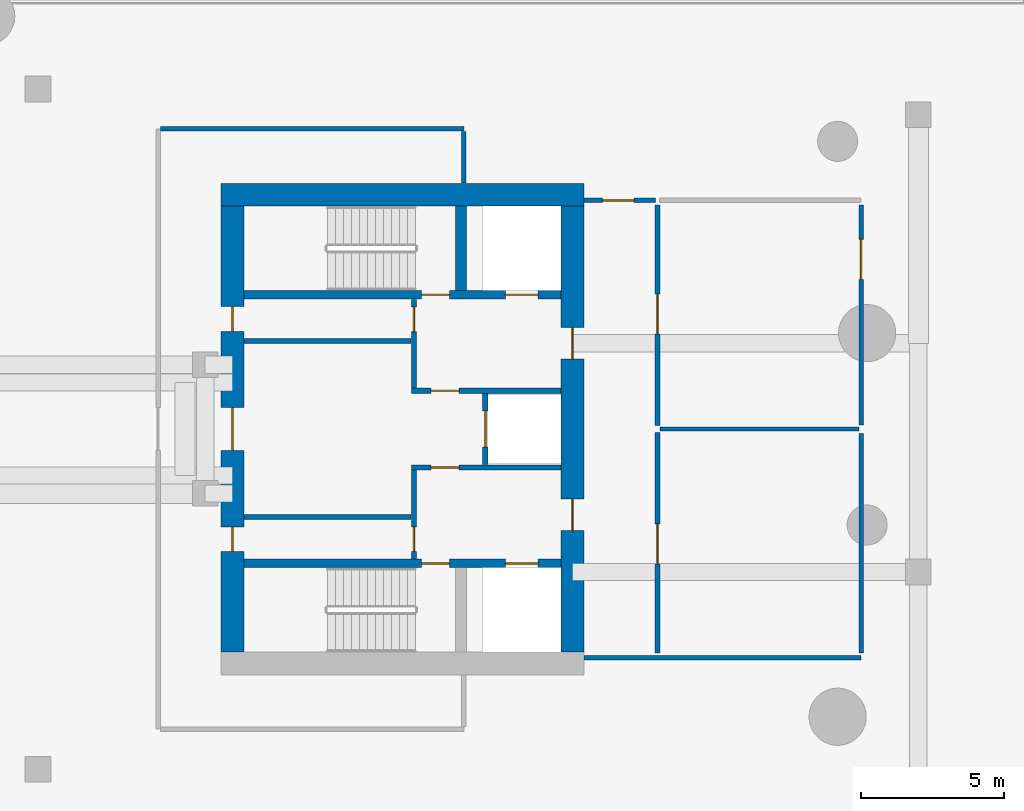
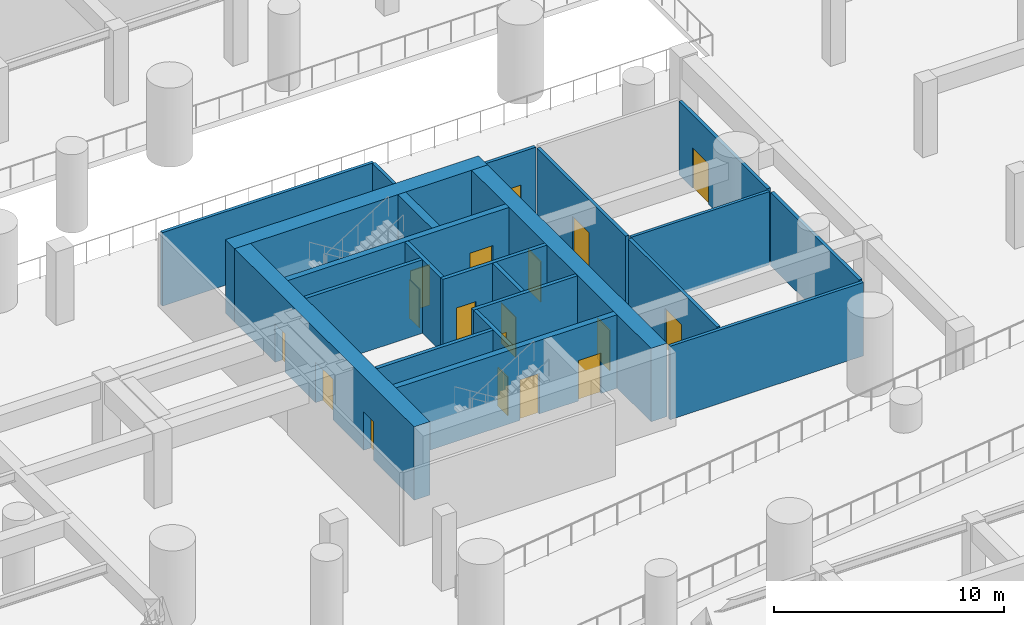
# One storey, part 6 of 10: 22 walls, 18 doors, 18 openings.
"""IFC4 building model written with IfcOpenShell, lengths in metres."""

from ifc_helpers import new_model, si_unit, direction, frame, frame_2d, origin, place, context, subcontext, project, spatial, rectangle, extrude, source, transform, mapped, material, layer, layer_set, type_object, element, fill, save


model = new_model("IFC4")

# Units and contexts
model_context = context("Model", 3, precision=1e-05, world=origin(), true_north=direction((0.0, 1.0)))
body_context = subcontext(model_context, "Body", "Model", "MODEL_VIEW")
ifc_project = project(units=[si_unit("LENGTHUNIT", "METRE"), si_unit("AREAUNIT", "SQUARE_METRE"), si_unit("VOLUMEUNIT", "CUBIC_METRE"), si_unit("PLANEANGLEUNIT", "RADIAN"), si_unit("MASSUNIT", "GRAM", prefix="KILO")], contexts=[model_context])

# Site, building, storey
site_placement = place(None, origin())
site = spatial("IfcSite", under=ifc_project, at=site_placement, CompositionType="ELEMENT")
building_placement = place(site_placement, origin())
building = spatial("IfcBuilding", under=site, at=building_placement, Name="Qafzar Sky-Pleat Residences", CompositionType="ELEMENT")
storey_placement = place(building_placement, frame((0.0, 0.0, -4.199951171875)))
storey = spatial("IfcBuildingStorey", under=building, at=storey_placement, Name="B01", CompositionType="ELEMENT", Elevation=-4.199951171875)

# Walls
ifc_material_1 = material(Name="Acoustic gypsum plasterboard partition", Category="gypsum")
ifc_layer_1 = layer(ifc_material_1, 0.159912109375)
ifc_layer_set_1 = layer_set([ifc_layer_1], Name="Acoustic gypsum plasterboard partition")
wall_type_1 = type_object("IfcWallType", Name="PART-COR-160", PredefinedType="PARTITIONING", material=ifc_layer_set_1)
wall_1_placement = place(storey_placement, frame((21.887939453125, 36.5, 0.0), z_axis=(0.0, 0.0, 1.0), x_axis=(1.0, 0.0, 0.0)))
element("IfcWall", 1, at=wall_1_placement, inside=storey, type_object=wall_type_1, Name="B01 Partition Wall PART-B01-PW-004", PredefinedType="PARTITIONING", context=body_context, shape_type="SweptSolid", body=[
    extrude(rectangle(XDim=10.612060546875, YDim=0.159912109375, at=frame_2d((5.30615234375, 0.0))), origin(), (0.0, 0.0, 1.0), 3.89990234375),
])
wall_2_placement = place(storey_placement, frame((32.5, 34.60791015625, 0.0), z_axis=(0.0, 0.0, 1.0), x_axis=(0.0, 1.0, 0.0)))
element("IfcWall", 2, at=wall_2_placement, inside=storey, type_object=wall_type_1, Name="B01 Partition Wall PART-B01-PW-005", PredefinedType="PARTITIONING", context=body_context, shape_type="SweptSolid", body=[
    extrude(rectangle(XDim=1.80419921875, YDim=0.159912109375, at=frame_2d((0.902099609375, 0.0))), origin(), (0.0, 0.0, 1.0), 3.89990234375),
])
wall_3_placement = place(storey_placement, frame((36.699951171875, 18.0, 0.0), z_axis=(0.0, 0.0, 1.0), x_axis=(1.0, 0.0, 0.0)))
element("IfcWall", 3, at=wall_3_placement, inside=storey, type_object=wall_type_1, Name="B01 Partition Wall PART-B01-PW-006", PredefinedType="PARTITIONING", context=body_context, shape_type="SweptSolid", body=[
    extrude(rectangle(XDim=9.699951171875, YDim=0.159912109375, at=frame_2d((4.85009765625, 0.0))), origin(), (0.0, 0.0, 1.0), 3.89990234375),
])

# Wall, opening, door
wall_4_placement = place(storey_placement, frame((36.699951171875, 34.0, 0.0), z_axis=(0.0, 0.0, 1.0), x_axis=(1.0, 0.0, 0.0)))
wall_4 = element("IfcWall", 4, at=wall_4_placement, inside=storey, type_object=wall_type_1, Name="B01 Partition Wall PART-B01-PW-007", PredefinedType="PARTITIONING", context=body_context, shape_type="SweptSolid", body=[
    extrude(rectangle(XDim=2.5, YDim=0.159912109375, at=frame_2d((1.25, 0.0))), origin(), (0.0, 0.0, 1.0), 3.89990234375),
])
opening_1_placement = place(wall_4_placement, frame((0.64990234375, 0.0, 0.0)))
opening_1 = element("IfcOpeningElement", 5, at=opening_1_placement, cuts=wall_4, Name="Opening ID-02", PredefinedType="OPENING", context=body_context, shape_type="SweptSolid", body=[
    extrude(rectangle(XDim=1.10009765625, YDim=2.14990234375, at=frame_2d((0.550048828125, 1.074951171875))), frame((0.0, 0.08984375, 0.0), z_axis=(0.0, -1.0, 0.0), x_axis=(1.0, 0.0, 0.0)), (0.0, 0.0, 1.0), 0.179931640625),
])
ifc_material_2 = material(Name="Timber-faced fire door", Category="wood")
door_type_1 = type_object("IfcDoorType", Name="DR-FFL-1100", OperationType="NOTDEFINED", PredefinedType="DOOR", material=ifc_material_2)
shared_shape_1 = source(origin(), body_context, "Body", "SweptSolid", [
    extrude(rectangle(XDim=1.10009765625, YDim=2.14990234375, at=frame_2d((0.550048828125, 1.074951171875))), frame((0.0, 0.02490234375, 0.0), z_axis=(0.0, -1.0, 0.0), x_axis=(1.0, 0.0, 0.0)), (0.0, 0.0, 1.0), 0.050048828125),
])
door_1_placement = place(opening_1_placement, origin())
door_1 = element("IfcDoor", 6, at=door_1_placement, inside=storey, type_object=door_type_1, Name="B01 East Service Lobby North Door", OperationType="SINGLE_SWING_LEFT", OverallHeight=2.14990234375, OverallWidth=1.10009765625, PredefinedType="DOOR", context=body_context, shape_type="MappedRepresentation", body=[
    mapped(shared_shape_1, transform((0.0, 0.0, 0.0), x_axis=(1.0, 0.0, 0.0), y_axis=(0.0, 1.0, 0.0), z_axis=(0.0, 0.0, 1.0), scale=1.0)),
])
fill(opening_1, door_1)

wall_5_placement = place(storey_placement, frame((39.27490234375, 18.16796875, 0.0), z_axis=(0.0, 0.0, 1.0), x_axis=(0.0, 1.0, 0.0)))
wall_5 = element("IfcWall", 7, at=wall_5_placement, inside=storey, type_object=wall_type_1, Name="B01 Partition Wall PART-B01-PW-009", PredefinedType="PARTITIONING", context=body_context, shape_type="SweptSolid", body=[
    extrude(rectangle(XDim=7.7119140625, YDim=0.159912109375, at=frame_2d((3.85595703125, 0.0))), origin(), (0.0, 0.0, 1.0), 3.89990234375),
])
opening_2_placement = place(wall_5_placement, frame((3.112060546875, 0.0, 0.0)))
opening_2 = element("IfcOpeningElement", 8, at=opening_2_placement, cuts=wall_5, Name="Opening ID-10", PredefinedType="OPENING", context=body_context, shape_type="SweptSolid", body=[
    extrude(rectangle(XDim=1.39990234375, YDim=2.14990234375, at=frame_2d((0.699951171875, 1.074951171875))), frame((0.0, 0.08984375, 0.0), z_axis=(0.0, -1.0, 0.0), x_axis=(1.0, 0.0, 0.0)), (0.0, 0.0, 1.0), 0.179931640625),
])
door_type_2 = type_object("IfcDoorType", Name="DR-PLANT-1400", OperationType="DOUBLE_DOOR_SINGLE_SWING", PredefinedType="DOOR", material=ifc_material_2)
shared_shape_2 = source(origin(), body_context, "Body", "SweptSolid", [
    extrude(rectangle(XDim=1.39990234375, YDim=2.14990234375, at=frame_2d((0.699951171875, 1.074951171875))), frame((0.0, 0.02490234375, 0.0), z_axis=(0.0, -1.0, 0.0), x_axis=(1.0, 0.0, 0.0)), (0.0, 0.0, 1.0), 0.050048828125),
])
door_2_placement = place(opening_2_placement, origin())
door_2 = element("IfcDoor", 9, at=door_2_placement, inside=storey, type_object=door_type_2, Name="B01 Resident Bicycle Store Room Door", OperationType="DOUBLE_DOOR_SINGLE_SWING", OverallHeight=2.14990234375, OverallWidth=1.39990234375, PredefinedType="DOOR", context=body_context, shape_type="MappedRepresentation", body=[
    mapped(shared_shape_2, transform((0.0, 0.0, 0.0), x_axis=(1.0, 0.0, 0.0), y_axis=(0.0, 1.0, 0.0), z_axis=(0.0, 0.0, 1.0), scale=1.0)),
])
fill(opening_2, door_2)

wall_6_placement = place(storey_placement, frame((39.27490234375, 26.1201171875, 0.0), z_axis=(0.0, 0.0, 1.0), x_axis=(0.0, 1.0, 0.0)))
wall_6 = element("IfcWall", 10, at=wall_6_placement, inside=storey, type_object=wall_type_1, Name="B01 Partition Wall PART-B01-PW-010", PredefinedType="PARTITIONING", context=body_context, shape_type="SweptSolid", body=[
    extrude(rectangle(XDim=7.7119140625, YDim=0.159912109375, at=frame_2d((3.85595703125, 0.0))), origin(), (0.0, 0.0, 1.0), 3.89990234375),
])
opening_3_placement = place(wall_6_placement, frame((3.199951171875, 0.0, 0.0)))
opening_3 = element("IfcOpeningElement", 11, at=opening_3_placement, cuts=wall_6, Name="Opening ID-10", PredefinedType="OPENING", context=body_context, shape_type="SweptSolid", body=[
    extrude(rectangle(XDim=1.39990234375, YDim=2.14990234375, at=frame_2d((0.699951171875, 1.074951171875))), frame((0.0, 0.08984375, 0.0), z_axis=(0.0, -1.0, 0.0), x_axis=(1.0, 0.0, 0.0)), (0.0, 0.0, 1.0), 0.179931640625),
])
door_3_placement = place(opening_3_placement, origin())
door_3 = element("IfcDoor", 12, at=door_3_placement, inside=storey, type_object=door_type_2, Name="B01 Service and Goods Loading Bay Door", OperationType="DOUBLE_DOOR_SINGLE_SWING", OverallHeight=2.14990234375, OverallWidth=1.39990234375, PredefinedType="DOOR", context=body_context, shape_type="MappedRepresentation", body=[
    mapped(shared_shape_2, transform((0.0, 0.0, 0.0), x_axis=(1.0, 0.0, 0.0), y_axis=(0.0, 1.0, 0.0), z_axis=(0.0, 0.0, 1.0), scale=1.0)),
])
fill(opening_3, door_3)

# Wall
wall_7_placement = place(storey_placement, frame((46.39990234375, 18.16796875, 0.0), z_axis=(0.0, 0.0, 1.0), x_axis=(0.0, 1.0, 0.0)))
element("IfcWall", 13, at=wall_7_placement, inside=storey, type_object=wall_type_1, Name="B01 Partition Wall PART-B01-PW-012", PredefinedType="PARTITIONING", context=body_context, shape_type="SweptSolid", body=[
    extrude(rectangle(XDim=7.68212890625, YDim=0.159912109375, at=frame_2d((3.841064453125, 0.0))), origin(), (0.0, 0.0, 1.0), 3.89990234375),
])

# Wall, opening, door
wall_8_placement = place(storey_placement, frame((46.39990234375, 26.14990234375, 0.0), z_axis=(0.0, 0.0, 1.0), x_axis=(0.0, 1.0, 0.0)))
wall_8 = element("IfcWall", 14, at=wall_8_placement, inside=storey, type_object=wall_type_1, Name="B01 Partition Wall PART-B01-PW-013", PredefinedType="PARTITIONING", context=body_context, shape_type="SweptSolid", body=[
    extrude(rectangle(XDim=7.68212890625, YDim=0.159912109375, at=frame_2d((3.841064453125, 0.0))), origin(), (0.0, 0.0, 1.0), 3.89990234375),
])
opening_4_placement = place(wall_8_placement, frame((5.08837890625, 0.0, 0.0)))
opening_4 = element("IfcOpeningElement", 15, at=opening_4_placement, cuts=wall_8, Name="Opening ID-10", PredefinedType="OPENING", context=body_context, shape_type="SweptSolid", body=[
    extrude(rectangle(XDim=1.39990234375, YDim=2.14990234375, at=frame_2d((0.699951171875, 1.074951171875))), frame((0.0, 0.08984375, 0.0), z_axis=(0.0, -1.0, 0.0), x_axis=(1.0, 0.0, 0.0)), (0.0, 0.0, 1.0), 0.179931640625),
])
door_4_placement = place(opening_4_placement, origin())
door_4 = element("IfcDoor", 16, at=door_4_placement, inside=storey, type_object=door_type_2, Name="B01 Service Bay Car Park Door", OperationType="DOUBLE_DOOR_SINGLE_SWING", OverallHeight=2.14990234375, OverallWidth=1.39990234375, PredefinedType="DOOR", context=body_context, shape_type="MappedRepresentation", body=[
    mapped(shared_shape_2, transform((0.0, 0.0, 0.0), x_axis=(1.0, 0.0, 0.0), y_axis=(0.0, 1.0, 0.0), z_axis=(0.0, 0.0, 1.0), scale=1.0)),
])
fill(opening_4, door_4)

ifc_material_3 = material(Name="Concrete blockwork partition", Category="masonry")
ifc_layer_2 = layer(ifc_material_3, 0.179931640625)
ifc_layer_set_2 = layer_set([ifc_layer_2], Name="Concrete blockwork partition")
wall_type_2 = type_object("IfcWallType", Name="PART-SHAFT-180", PredefinedType="PARTITIONING", material=ifc_layer_set_2)
wall_9_placement = place(storey_placement, frame((30.75, 21.4599609375, 0.0), z_axis=(0.0, 0.0, 1.0), x_axis=(0.0, 1.0, 0.0)))
wall_9 = element("IfcWall", 17, at=wall_9_placement, inside=storey, type_object=wall_type_2, Name="B01 Partition Wall PART-B01-FFL1-W", PredefinedType="PARTITIONING", context=body_context, shape_type="SweptSolid", body=[
    extrude(rectangle(XDim=3.110107421875, YDim=0.179931640625, at=frame_2d((1.55517578125, 0.0))), origin(), (0.0, 0.0, 1.0), 3.89990234375),
])
opening_5_placement = place(wall_9_placement, frame((0.260009765625, 0.0, 0.0)))
opening_5 = element("IfcOpeningElement", 18, at=opening_5_placement, cuts=wall_9, Name="Opening ID-09", PredefinedType="OPENING", context=body_context, shape_type="SweptSolid", body=[
    extrude(rectangle(XDim=0.860107421875, YDim=2.050048828125, at=frame_2d((0.43017578125, 1.02490234375))), frame((0.0, 0.10009765625, 0.0), z_axis=(0.0, -1.0, 0.0), x_axis=(1.0, 0.0, 0.0)), (0.0, 0.0, 1.0), 0.199951171875),
])
door_type_3 = type_object("IfcDoorType", Name="DR-SVC-860", OperationType="NOTDEFINED", PredefinedType="DOOR", material=ifc_material_2)
shared_shape_3 = source(origin(), body_context, "Body", "SweptSolid", [
    extrude(rectangle(XDim=0.860107421875, YDim=2.050048828125, at=frame_2d((0.43017578125, 1.02490234375))), frame((0.0, 0.02490234375, 0.0), z_axis=(0.0, -1.0, 0.0), x_axis=(1.0, 0.0, 0.0)), (0.0, 0.0, 1.0), 0.050048828125),
])
door_5_placement = place(opening_5_placement, origin())
door_5 = element("IfcDoor", 19, at=door_5_placement, inside=storey, type_object=door_type_3, Name="B01 South Core Cupboard Door", OperationType="SINGLE_SWING_LEFT", OverallHeight=2.050048828125, OverallWidth=0.860107421875, PredefinedType="DOOR", context=body_context, shape_type="MappedRepresentation", body=[
    mapped(shared_shape_3, transform((0.0, 0.0, 0.0), x_axis=(1.0, 0.0, 0.0), y_axis=(0.0, 1.0, 0.0), z_axis=(0.0, 0.0, 1.0), scale=1.0)),
])
fill(opening_5, door_5)

wall_10_placement = place(storey_placement, frame((30.669921875, 24.659912109375, 0.0), z_axis=(0.0, 0.0, 1.0), x_axis=(1.0, 0.0, 0.0)))
wall_10 = element("IfcWall", 20, at=wall_10_placement, inside=storey, type_object=wall_type_2, Name="B01 Partition Wall PART-B01-FFL1-N", PredefinedType="PARTITIONING", context=body_context, shape_type="SweptSolid", body=[
    extrude(rectangle(XDim=5.219970703125, YDim=0.179931640625, at=frame_2d((2.60986328125, 0.0))), origin(), (0.0, 0.0, 1.0), 3.89990234375),
])
opening_6_placement = place(wall_10_placement, frame((0.679931640625, 0.0, 0.0)))
opening_6 = element("IfcOpeningElement", 21, at=opening_6_placement, cuts=wall_10, Name="Opening ID-01", PredefinedType="OPENING", context=body_context, shape_type="SweptSolid", body=[
    extrude(rectangle(XDim=0.97998046875, YDim=2.14990234375, at=frame_2d((0.489990234375, 1.074951171875))), frame((0.0, 0.10009765625, 0.0), z_axis=(0.0, -1.0, 0.0), x_axis=(1.0, 0.0, 0.0)), (0.0, 0.0, 1.0), 0.199951171875),
])
door_type_4 = type_object("IfcDoorType", Name="DR-STAIR-980", OperationType="NOTDEFINED", PredefinedType="DOOR", material=ifc_material_2)
shared_shape_4 = source(origin(), body_context, "Body", "SweptSolid", [
    extrude(rectangle(XDim=0.97998046875, YDim=2.14990234375, at=frame_2d((0.489990234375, 1.074951171875))), frame((0.0, 0.02490234375, 0.0), z_axis=(0.0, -1.0, 0.0), x_axis=(1.0, 0.0, 0.0)), (0.0, 0.0, 1.0), 0.050048828125),
])
door_6_placement = place(opening_6_placement, origin())
door_6 = element("IfcDoor", 22, at=door_6_placement, inside=storey, type_object=door_type_4, Name="B01 Lift Lobby to South Firefighting Lobby Door", OperationType="SINGLE_SWING_RIGHT", OverallHeight=2.14990234375, OverallWidth=0.97998046875, PredefinedType="DOOR", context=body_context, shape_type="MappedRepresentation", body=[
    mapped(shared_shape_4, transform((0.0, 0.0, 0.0), x_axis=(1.0, 0.0, 0.0), y_axis=(0.0, 1.0, 0.0), z_axis=(0.0, 0.0, 1.0), scale=1.0)),
])
fill(opening_6, door_6)

wall_11_placement = place(storey_placement, frame((30.75, 27.429931640625, 0.0), z_axis=(0.0, 0.0, 1.0), x_axis=(0.0, 1.0, 0.0)))
wall_11 = element("IfcWall", 23, at=wall_11_placement, inside=storey, type_object=wall_type_2, Name="B01 Partition Wall PART-B01-FFL2-W", PredefinedType="PARTITIONING", context=body_context, shape_type="SweptSolid", body=[
    extrude(rectangle(XDim=3.110107421875, YDim=0.179931640625, at=frame_2d((1.55517578125, 0.0))), origin(), (0.0, 0.0, 1.0), 3.89990234375),
])
opening_7_placement = place(wall_11_placement, frame((1.97998046875, 0.0, 0.0)))
opening_7 = element("IfcOpeningElement", 24, at=opening_7_placement, cuts=wall_11, Name="Opening ID-09", PredefinedType="OPENING", context=body_context, shape_type="SweptSolid", body=[
    extrude(rectangle(XDim=0.860107421875, YDim=2.050048828125, at=frame_2d((0.43017578125, 1.02490234375))), frame((0.0, 0.10009765625, 0.0), z_axis=(0.0, -1.0, 0.0), x_axis=(1.0, 0.0, 0.0)), (0.0, 0.0, 1.0), 0.199951171875),
])
door_7_placement = place(opening_7_placement, origin())
door_7 = element("IfcDoor", 25, at=door_7_placement, inside=storey, type_object=door_type_3, Name="B01 North Core Cupboard Door", OperationType="SINGLE_SWING_LEFT", OverallHeight=2.050048828125, OverallWidth=0.860107421875, PredefinedType="DOOR", context=body_context, shape_type="MappedRepresentation", body=[
    mapped(shared_shape_3, transform((0.0, 0.0, 0.0), x_axis=(1.0, 0.0, 0.0), y_axis=(0.0, 1.0, 0.0), z_axis=(0.0, 0.0, 1.0), scale=1.0)),
])
fill(opening_7, door_7)

wall_12_placement = place(storey_placement, frame((30.669921875, 27.340087890625, 0.0), z_axis=(0.0, 0.0, 1.0), x_axis=(1.0, 0.0, 0.0)))
wall_12 = element("IfcWall", 26, at=wall_12_placement, inside=storey, type_object=wall_type_2, Name="B01 Partition Wall PART-B01-FFL2-S", PredefinedType="PARTITIONING", context=body_context, shape_type="SweptSolid", body=[
    extrude(rectangle(XDim=5.219970703125, YDim=0.179931640625, at=frame_2d((2.60986328125, 0.0))), origin(), (0.0, 0.0, 1.0), 3.89990234375),
])
opening_8_placement = place(wall_12_placement, frame((0.679931640625, 0.0, 0.0)))
opening_8 = element("IfcOpeningElement", 27, at=opening_8_placement, cuts=wall_12, Name="Opening ID-01", PredefinedType="OPENING", context=body_context, shape_type="SweptSolid", body=[
    extrude(rectangle(XDim=0.97998046875, YDim=2.14990234375, at=frame_2d((0.489990234375, 1.074951171875))), frame((0.0, 0.10009765625, 0.0), z_axis=(0.0, -1.0, 0.0), x_axis=(1.0, 0.0, 0.0)), (0.0, 0.0, 1.0), 0.199951171875),
])
door_8_placement = place(opening_8_placement, origin())
door_8 = element("IfcDoor", 28, at=door_8_placement, inside=storey, type_object=door_type_4, Name="B01 Lift Lobby to North Firefighting Lobby Door", OperationType="SINGLE_SWING_RIGHT", OverallHeight=2.14990234375, OverallWidth=0.97998046875, PredefinedType="DOOR", context=body_context, shape_type="MappedRepresentation", body=[
    mapped(shared_shape_4, transform((0.0, 0.0, 0.0), x_axis=(1.0, 0.0, 0.0), y_axis=(0.0, 1.0, 0.0), z_axis=(0.0, 0.0, 1.0), scale=1.0)),
])
fill(opening_8, door_8)

wall_13_placement = place(storey_placement, frame((33.25, 24.760009765625, 0.0), z_axis=(0.0, 0.0, 1.0), x_axis=(0.0, 1.0, 0.0)))
wall_13 = element("IfcWall", 29, at=wall_13_placement, inside=storey, type_object=wall_type_2, Name="B01 Partition Wall PART-B01-SV1-W", PredefinedType="PARTITIONING", context=body_context, shape_type="SweptSolid", body=[
    extrude(rectangle(XDim=2.47998046875, YDim=0.179931640625, at=frame_2d((1.239990234375, 0.0))), origin(), (0.0, 0.0, 1.0), 3.89990234375),
])
opening_9_placement = place(wall_13_placement, frame((0.614990234375, 0.0, 0.0)))
opening_9 = element("IfcOpeningElement", 30, at=opening_9_placement, cuts=wall_13, Name="Opening LD-03", PredefinedType="OPENING", context=body_context, shape_type="SweptSolid", body=[
    extrude(rectangle(XDim=1.25, YDim=2.14990234375, at=frame_2d((0.625, 1.074951171875))), frame((0.0, 0.10009765625, 0.0), z_axis=(0.0, -1.0, 0.0), x_axis=(1.0, 0.0, 0.0)), (0.0, 0.0, 1.0), 0.199951171875),
])
ifc_material_4 = material(Name="Stainless steel sliding landing door", Category="steel")
door_type_5 = type_object("IfcDoorType", Name="DR-LIFT-SV", OperationType="DOUBLE_DOOR_SLIDING", PredefinedType="DOOR", material=ifc_material_4)
shared_shape_5 = source(origin(), body_context, "Body", "SweptSolid", [
    extrude(rectangle(XDim=1.25, YDim=2.14990234375, at=frame_2d((0.625, 1.074951171875))), frame((0.0, 0.02490234375, 0.0), z_axis=(0.0, -1.0, 0.0), x_axis=(1.0, 0.0, 0.0)), (0.0, 0.0, 1.0), 0.050048828125),
])
door_9_placement = place(opening_9_placement, origin())
door_9 = element("IfcDoor", 31, at=door_9_placement, inside=storey, type_object=door_type_5, Name="B01 Service Lift SV1 Landing Door", OperationType="DOUBLE_DOOR_SLIDING", OverallHeight=2.14990234375, OverallWidth=1.25, PredefinedType="DOOR", context=body_context, shape_type="MappedRepresentation", body=[
    mapped(shared_shape_5, transform((0.0, 0.0, 0.0), x_axis=(1.0, 0.0, 0.0), y_axis=(0.0, 1.0, 0.0), z_axis=(0.0, 0.0, 1.0), scale=1.0)),
])
fill(opening_9, door_9)

# Walls
for number, where, z_axis, x_axis, name in (
    (32, (24.81005859375, 22.919921875, 0.0), (0.0, 0.0, 1.0), (1.0, 0.0, 0.0), "B01 Partition Wall PART-B01-P13-S"),
    (33, (24.81005859375, 29.080078125, 0.0), (0.0, 0.0, 1.0), (1.0, 0.0, 0.0), "B01 Partition Wall PART-B01-P46-N"),
):
    element("IfcWall", number, at=place(storey_placement, frame(where, z_axis=z_axis, x_axis=x_axis)), inside=storey, type_object=wall_type_2, Name=name, PredefinedType="PARTITIONING", context=body_context, shape_type="SweptSolid", body=[
        extrude(rectangle(XDim=5.83984375, YDim=0.179931640625, at=frame_2d((2.919921875, 0.0))), origin(), (0.0, 0.0, 1.0), 3.89990234375),
    ])
ifc_layer_3 = layer(ifc_material_1, 0.14501953125)
ifc_layer_set_3 = layer_set([ifc_layer_3], Name="Acoustic gypsum plasterboard partition")
wall_type_3 = type_object("IfcWallType", Name="PART-UNIT-145", PredefinedType="PARTITIONING", material=ifc_layer_set_3)
wall_14_placement = place(storey_placement, frame((39.360107421875, 26.0, 0.0), z_axis=(0.0, 0.0, 1.0), x_axis=(1.0, 0.0, 0.0)))
element("IfcWall", 34, at=wall_14_placement, inside=storey, type_object=wall_type_3, Name="B01 Partition Wall PART-B01-PW-011", PredefinedType="PARTITIONING", context=body_context, shape_type="SweptSolid", body=[
    extrude(rectangle(XDim=6.9599609375, YDim=0.14501953125, at=frame_2d((3.47998046875, 0.0))), origin(), (0.0, 0.0, 1.0), 3.89990234375),
])

# Wall, openings, doors
ifc_material_5 = material(Name="Concrete C60/75", Category="concrete")
ifc_layer_4 = layer(ifc_material_5, 0.300048828125)
ifc_layer_set_4 = layer_set([ifc_layer_4], Name="Concrete C60/75")
wall_type_4 = type_object("IfcWallType", Name="WALL-SHEAR-300", PredefinedType="SHEAR", material=ifc_layer_set_4)
wall_15_placement = place(storey_placement, frame((24.800048828125, 21.300048828125, 0.0), z_axis=(0.0, 0.0, 1.0), x_axis=(1.0, 0.0, 0.0)))
wall_15 = element("IfcWall", 35, at=wall_15_placement, inside=storey, type_object=wall_type_4, Name="B01 Stair ST1 and FF1 Shaft North Wall", PredefinedType="SHEAR", context=body_context, shape_type="SweptSolid", body=[
    extrude(rectangle(XDim=11.099853515625, YDim=0.300048828125, at=frame_2d((5.5498046875, 0.0))), origin(), (0.0, 0.0, 1.0), 3.89990234375),
])
opening_10_placement = place(wall_15_placement, frame((6.219970703125, 0.0, 0.0)))
opening_10 = element("IfcOpeningElement", 36, at=opening_10_placement, cuts=wall_15, Name="Opening ID-01", PredefinedType="OPENING", context=body_context, shape_type="SweptSolid", body=[
    extrude(rectangle(XDim=0.97998046875, YDim=2.14990234375, at=frame_2d((0.489990234375, 1.074951171875))), frame((0.0, 0.16015625, 0.0), z_axis=(0.0, -1.0, 0.0), x_axis=(1.0, 0.0, 0.0)), (0.0, 0.0, 1.0), 0.320068359375),
])
opening_11_placement = place(wall_15_placement, frame((9.14990234375, 0.0, 0.0)))
opening_11 = element("IfcOpeningElement", 37, at=opening_11_placement, cuts=wall_15, Name="Opening LD-02", PredefinedType="OPENING", context=body_context, shape_type="SweptSolid", body=[
    extrude(rectangle(XDim=1.14990234375, YDim=2.14990234375, at=frame_2d((0.574951171875, 1.074951171875))), frame((0.0, 0.16015625, 0.0), z_axis=(0.0, -1.0, 0.0), x_axis=(1.0, 0.0, 0.0)), (0.0, 0.0, 1.0), 0.320068359375),
])
door_10_placement = place(opening_10_placement, origin())
door_10 = element("IfcDoor", 38, at=door_10_placement, inside=storey, type_object=door_type_4, Name="B01 Stair ST1 Fire Door", OperationType="SINGLE_SWING_LEFT", OverallHeight=2.14990234375, OverallWidth=0.97998046875, PredefinedType="DOOR", context=body_context, shape_type="MappedRepresentation", body=[
    mapped(shared_shape_4, transform((0.0, 0.0, 0.0), x_axis=(1.0, 0.0, 0.0), y_axis=(0.0, 1.0, 0.0), z_axis=(0.0, 0.0, 1.0), scale=1.0)),
])
fill(opening_10, door_10)
door_type_6 = type_object("IfcDoorType", Name="DR-LIFT-FF", OperationType="DOUBLE_DOOR_SLIDING", PredefinedType="DOOR", material=ifc_material_4)
shared_shape_6 = source(origin(), body_context, "Body", "SweptSolid", [
    extrude(rectangle(XDim=1.14990234375, YDim=2.14990234375, at=frame_2d((0.574951171875, 1.074951171875))), frame((0.0, 0.02490234375, 0.0), z_axis=(0.0, -1.0, 0.0), x_axis=(1.0, 0.0, 0.0)), (0.0, 0.0, 1.0), 0.050048828125),
])
door_11_placement = place(opening_11_placement, origin())
door_11 = element("IfcDoor", 39, at=door_11_placement, inside=storey, type_object=door_type_6, Name="B01 Firefighting Lift FF1 Landing Door", OperationType="DOUBLE_DOOR_SLIDING", OverallHeight=2.14990234375, OverallWidth=1.14990234375, PredefinedType="DOOR", context=body_context, shape_type="MappedRepresentation", body=[
    mapped(shared_shape_6, transform((0.0, 0.0, 0.0), x_axis=(1.0, 0.0, 0.0), y_axis=(0.0, 1.0, 0.0), z_axis=(0.0, 0.0, 1.0), scale=1.0)),
])
fill(opening_11, door_11)

wall_16_placement = place(storey_placement, frame((24.800048828125, 30.699951171875, 0.0), z_axis=(0.0, 0.0, 1.0), x_axis=(1.0, 0.0, 0.0)))
wall_16 = element("IfcWall", 40, at=wall_16_placement, inside=storey, type_object=wall_type_4, Name="B01 Stair ST2 and FF2 Shaft South Wall", PredefinedType="SHEAR", context=body_context, shape_type="SweptSolid", body=[
    extrude(rectangle(XDim=11.099853515625, YDim=0.300048828125, at=frame_2d((5.5498046875, 0.0))), origin(), (0.0, 0.0, 1.0), 3.89990234375),
])
opening_12_placement = place(wall_16_placement, frame((6.219970703125, 0.0, 0.0)))
opening_12 = element("IfcOpeningElement", 41, at=opening_12_placement, cuts=wall_16, Name="Opening ID-01", PredefinedType="OPENING", context=body_context, shape_type="SweptSolid", body=[
    extrude(rectangle(XDim=0.97998046875, YDim=2.14990234375, at=frame_2d((0.489990234375, 1.074951171875))), frame((0.0, 0.16015625, 0.0), z_axis=(0.0, -1.0, 0.0), x_axis=(1.0, 0.0, 0.0)), (0.0, 0.0, 1.0), 0.320068359375),
])
opening_13_placement = place(wall_16_placement, frame((9.14990234375, 0.0, 0.0)))
opening_13 = element("IfcOpeningElement", 42, at=opening_13_placement, cuts=wall_16, Name="Opening LD-02", PredefinedType="OPENING", context=body_context, shape_type="SweptSolid", body=[
    extrude(rectangle(XDim=1.14990234375, YDim=2.14990234375, at=frame_2d((0.574951171875, 1.074951171875))), frame((0.0, 0.16015625, 0.0), z_axis=(0.0, -1.0, 0.0), x_axis=(1.0, 0.0, 0.0)), (0.0, 0.0, 1.0), 0.320068359375),
])
door_12_placement = place(opening_12_placement, origin())
door_12 = element("IfcDoor", 43, at=door_12_placement, inside=storey, type_object=door_type_4, Name="B01 Stair ST2 Fire Door", OperationType="SINGLE_SWING_RIGHT", OverallHeight=2.14990234375, OverallWidth=0.97998046875, PredefinedType="DOOR", context=body_context, shape_type="MappedRepresentation", body=[
    mapped(shared_shape_4, transform((0.0, 0.0, 0.0), x_axis=(1.0, 0.0, 0.0), y_axis=(0.0, 1.0, 0.0), z_axis=(0.0, 0.0, 1.0), scale=1.0)),
])
fill(opening_12, door_12)
door_13_placement = place(opening_13_placement, origin())
door_13 = element("IfcDoor", 44, at=door_13_placement, inside=storey, type_object=door_type_6, Name="B01 Firefighting Lift FF2 Landing Door", OperationType="DOUBLE_DOOR_SLIDING", OverallHeight=2.14990234375, OverallWidth=1.14990234375, PredefinedType="DOOR", context=body_context, shape_type="MappedRepresentation", body=[
    mapped(shared_shape_6, transform((0.0, 0.0, 0.0), x_axis=(1.0, 0.0, 0.0), y_axis=(0.0, 1.0, 0.0), z_axis=(0.0, 0.0, 1.0), scale=1.0)),
])
fill(opening_13, door_13)

# Walls
ifc_layer_5 = layer(ifc_material_5, 0.39990234375)
ifc_layer_set_5 = layer_set([ifc_layer_5], Name="Concrete C60/75")
wall_type_5 = type_object("IfcWallType", Name="WALL-SHEAR-400", PredefinedType="SHEAR", material=ifc_layer_set_5)
wall_17_placement = place(storey_placement, frame((32.39990234375, 30.85009765625, 0.0), z_axis=(0.0, 0.0, 1.0), x_axis=(0.0, 1.0, 0.0)))
element("IfcWall", 45, at=wall_17_placement, inside=storey, type_object=wall_type_5, Name="B01 Stair ST2 East Dividing Wall", PredefinedType="SHEAR", context=body_context, shape_type="SweptSolid", body=[
    extrude(rectangle(XDim=2.949951171875, YDim=0.39990234375, at=frame_2d((1.47509765625, 0.0))), origin(), (0.0, 0.0, 1.0), 3.89990234375),
])
ifc_layer_6 = layer(ifc_material_5, 0.800048828125)
ifc_layer_set_6 = layer_set([ifc_layer_6], Name="Concrete C60/75")
wall_type_6 = type_object("IfcWallType", Name="WALL-SHEAR-800", PredefinedType="SHEAR", material=ifc_layer_set_6)
wall_18_placement = place(storey_placement, frame((36.699951171875, 34.199951171875, 0.0), z_axis=(0.0, 0.0, 1.0), x_axis=(-1.0, 0.0, 0.0)))
element("IfcWall", 46, at=wall_18_placement, inside=storey, type_object=wall_type_6, Name="B01 CORE wall N", PredefinedType="SHEAR", context=body_context, shape_type="SweptSolid", body=[
    extrude(rectangle(XDim=12.699951171875, YDim=0.800048828125, at=frame_2d((6.35009765625, 0.0))), origin(), (0.0, 0.0, 1.0), 3.89990234375),
])

# Wall, openings, doors
wall_19_placement = place(storey_placement, frame((24.39990234375, 33.800048828125, 0.0), z_axis=(0.0, 0.0, 1.0), x_axis=(0.0, -1.0, 0.0)))
wall_19 = element("IfcWall", 47, at=wall_19_placement, inside=storey, type_object=wall_type_6, Name="B01 CORE wall W", PredefinedType="SHEAR", context=body_context, shape_type="SweptSolid", body=[
    extrude(rectangle(XDim=15.60009765625, YDim=0.800048828125, at=frame_2d((7.800048828125, 0.0))), origin(), (0.0, 0.0, 1.0), 3.89990234375),
])
opening_14_placement = place(wall_19_placement, frame((7.050048828125, 0.0, 0.0)))
opening_14 = element("IfcOpeningElement", 48, at=opening_14_placement, cuts=wall_19, Name="Opening ID-03", PredefinedType="OPENING", context=body_context, shape_type="SweptSolid", body=[
    extrude(rectangle(XDim=1.5, YDim=2.14990234375, at=frame_2d((0.75, 1.074951171875))), frame((0.0, 0.41015625, 0.0), z_axis=(0.0, -1.0, 0.0), x_axis=(1.0, 0.0, 0.0)), (0.0, 0.0, 1.0), 0.820068359375),
])
opening_15_placement = place(wall_19_placement, frame((3.52001953125, 0.0, 0.0)))
opening_15 = element("IfcOpeningElement", 49, at=opening_15_placement, cuts=wall_19, Name="Opening ID-09", PredefinedType="OPENING", context=body_context, shape_type="SweptSolid", body=[
    extrude(rectangle(XDim=0.860107421875, YDim=2.050048828125, at=frame_2d((0.43017578125, 1.02490234375))), frame((0.0, 0.41015625, 0.0), z_axis=(0.0, -1.0, 0.0), x_axis=(1.0, 0.0, 0.0)), (0.0, 0.0, 1.0), 0.820068359375),
])
opening_16_placement = place(wall_19_placement, frame((11.219970703125, 0.0, 0.0)))
opening_16 = element("IfcOpeningElement", 50, at=opening_16_placement, cuts=wall_19, Name="Opening ID-09", PredefinedType="OPENING", context=body_context, shape_type="SweptSolid", body=[
    extrude(rectangle(XDim=0.860107421875, YDim=2.050048828125, at=frame_2d((0.43017578125, 1.02490234375))), frame((0.0, 0.41015625, 0.0), z_axis=(0.0, -1.0, 0.0), x_axis=(1.0, 0.0, 0.0)), (0.0, 0.0, 1.0), 0.820068359375),
])
door_type_7 = type_object("IfcDoorType", Name="DR-COR-1500", OperationType="DOUBLE_DOOR_SINGLE_SWING", PredefinedType="DOOR", material=ifc_material_2)
shared_shape_7 = source(origin(), body_context, "Body", "SweptSolid", [
    extrude(rectangle(XDim=1.5, YDim=2.14990234375, at=frame_2d((0.75, 1.074951171875))), frame((0.0, 0.02490234375, 0.0), z_axis=(0.0, -1.0, 0.0), x_axis=(1.0, 0.0, 0.0)), (0.0, 0.0, 1.0), 0.050048828125),
])
door_14_placement = place(opening_14_placement, origin())
door_14 = element("IfcDoor", 51, at=door_14_placement, inside=storey, type_object=door_type_7, Name="B01 Lift Lobby West Double Door", OperationType="DOUBLE_DOOR_SINGLE_SWING", OverallHeight=2.14990234375, OverallWidth=1.5, PredefinedType="DOOR", context=body_context, shape_type="MappedRepresentation", body=[
    mapped(shared_shape_7, transform((0.0, 0.0, 0.0), x_axis=(1.0, 0.0, 0.0), y_axis=(0.0, 1.0, 0.0), z_axis=(0.0, 0.0, 1.0), scale=1.0)),
])
fill(opening_14, door_14)
door_15_placement = place(opening_15_placement, origin())
door_15 = element("IfcDoor", 52, at=door_15_placement, inside=storey, type_object=door_type_3, Name="B01 Core North-West Service Door", OperationType="SINGLE_SWING_LEFT", OverallHeight=2.050048828125, OverallWidth=0.860107421875, PredefinedType="DOOR", context=body_context, shape_type="MappedRepresentation", body=[
    mapped(shared_shape_3, transform((0.0, 0.0, 0.0), x_axis=(1.0, 0.0, 0.0), y_axis=(0.0, 1.0, 0.0), z_axis=(0.0, 0.0, 1.0), scale=1.0)),
])
fill(opening_15, door_15)
door_16_placement = place(opening_16_placement, origin())
door_16 = element("IfcDoor", 53, at=door_16_placement, inside=storey, type_object=door_type_3, Name="B01 Core South-West Service Door", OperationType="SINGLE_SWING_RIGHT", OverallHeight=2.050048828125, OverallWidth=0.860107421875, PredefinedType="DOOR", context=body_context, shape_type="MappedRepresentation", body=[
    mapped(shared_shape_3, transform((0.0, 0.0, 0.0), x_axis=(1.0, 0.0, 0.0), y_axis=(0.0, 1.0, 0.0), z_axis=(0.0, 0.0, 1.0), scale=1.0)),
])
fill(opening_16, door_16)

wall_20_placement = place(storey_placement, frame((36.300048828125, 18.199951171875, 0.0), z_axis=(0.0, 0.0, 1.0), x_axis=(0.0, 1.0, 0.0)))
wall_20 = element("IfcWall", 54, at=wall_20_placement, inside=storey, type_object=wall_type_6, Name="B01 CORE wall E", PredefinedType="SHEAR", context=body_context, shape_type="SweptSolid", body=[
    extrude(rectangle(XDim=15.60009765625, YDim=0.800048828125, at=frame_2d((7.800048828125, 0.0))), origin(), (0.0, 0.0, 1.0), 3.89990234375),
])
opening_17_placement = place(wall_20_placement, frame((4.25, 0.0, 0.0)))
opening_17 = element("IfcOpeningElement", 55, at=opening_17_placement, cuts=wall_20, Name="Opening ID-02", PredefinedType="OPENING", context=body_context, shape_type="SweptSolid", body=[
    extrude(rectangle(XDim=1.10009765625, YDim=2.14990234375, at=frame_2d((0.550048828125, 1.074951171875))), frame((0.0, 0.41015625, 0.0), z_axis=(0.0, -1.0, 0.0), x_axis=(1.0, 0.0, 0.0)), (0.0, 0.0, 1.0), 0.820068359375),
])
opening_18_placement = place(wall_20_placement, frame((10.25, 0.0, 0.0)))
opening_18 = element("IfcOpeningElement", 56, at=opening_18_placement, cuts=wall_20, Name="Opening ID-02", PredefinedType="OPENING", context=body_context, shape_type="SweptSolid", body=[
    extrude(rectangle(XDim=1.10009765625, YDim=2.14990234375, at=frame_2d((0.550048828125, 1.074951171875))), frame((0.0, 0.41015625, 0.0), z_axis=(0.0, -1.0, 0.0), x_axis=(1.0, 0.0, 0.0)), (0.0, 0.0, 1.0), 0.820068359375),
])
door_17_placement = place(opening_17_placement, origin())
door_17 = element("IfcDoor", 57, at=door_17_placement, inside=storey, type_object=door_type_1, Name="B01 Firefighting Lobby South Corridor Door", OperationType="SINGLE_SWING_LEFT", OverallHeight=2.14990234375, OverallWidth=1.10009765625, PredefinedType="DOOR", context=body_context, shape_type="MappedRepresentation", body=[
    mapped(shared_shape_1, transform((0.0, 0.0, 0.0), x_axis=(1.0, 0.0, 0.0), y_axis=(0.0, 1.0, 0.0), z_axis=(0.0, 0.0, 1.0), scale=1.0)),
])
fill(opening_17, door_17)
door_18_placement = place(opening_18_placement, origin())
door_18 = element("IfcDoor", 58, at=door_18_placement, inside=storey, type_object=door_type_1, Name="B01 Firefighting Lobby North Corridor Door", OperationType="SINGLE_SWING_RIGHT", OverallHeight=2.14990234375, OverallWidth=1.10009765625, PredefinedType="DOOR", context=body_context, shape_type="MappedRepresentation", body=[
    mapped(shared_shape_1, transform((0.0, 0.0, 0.0), x_axis=(1.0, 0.0, 0.0), y_axis=(0.0, 1.0, 0.0), z_axis=(0.0, 0.0, 1.0), scale=1.0)),
])
fill(opening_18, door_18)

save(model, "model.ifc")
